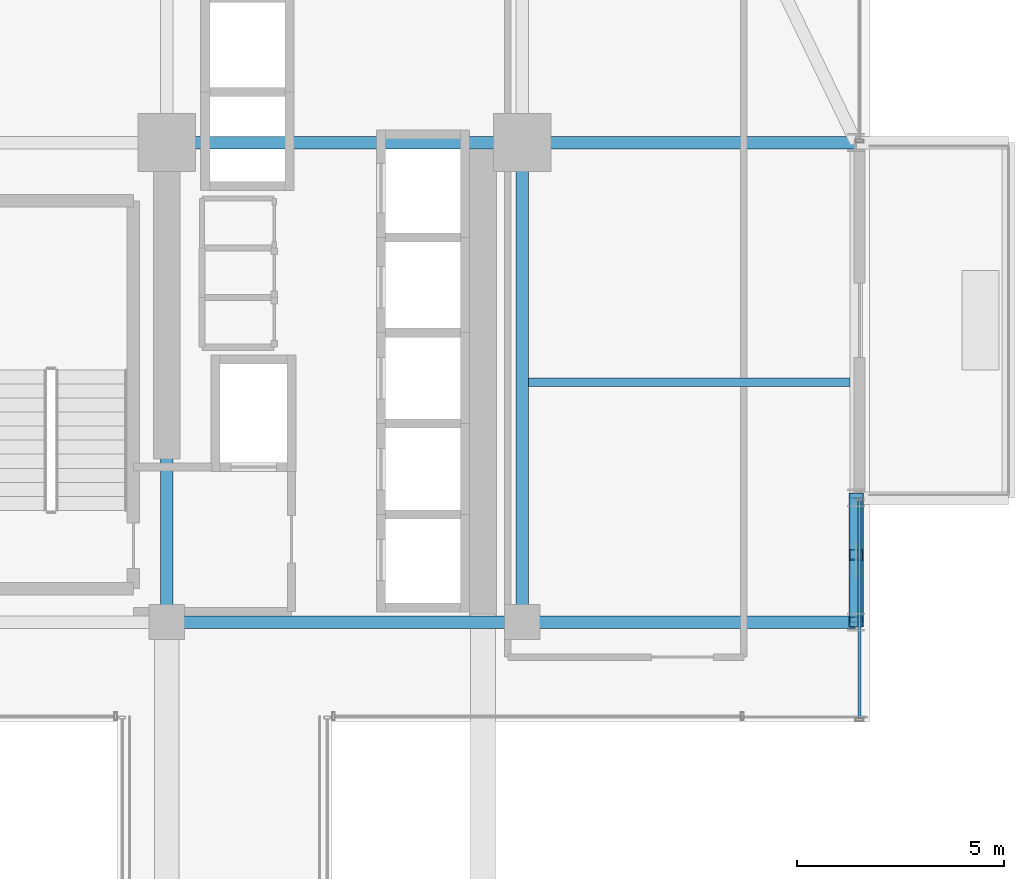
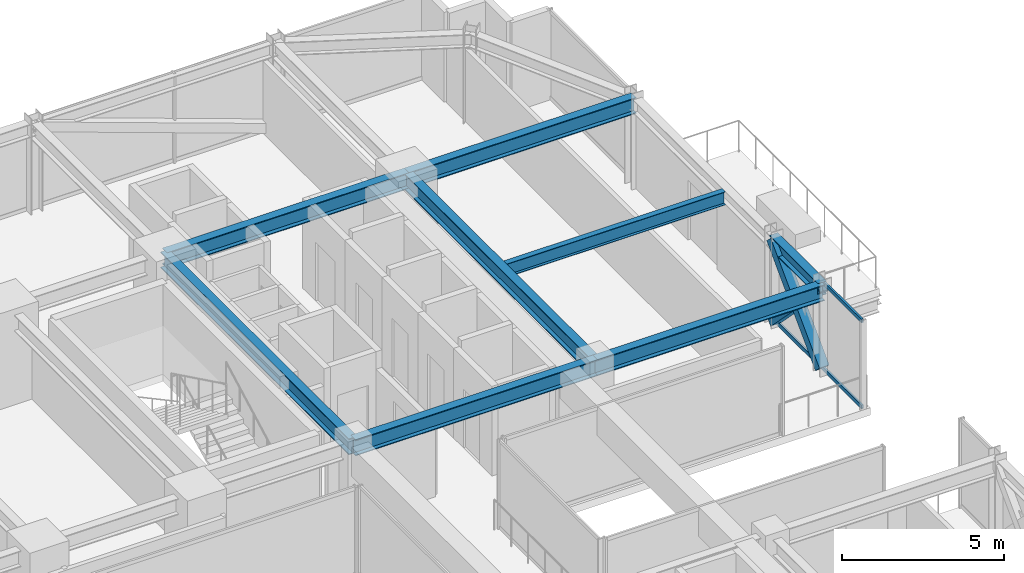
# One storey, part 24 of 35: 8 beams, 5 members, 1 element without a shape of its own.
"""IFC4 building model written with IfcOpenShell, lengths in metres."""

import ifcopenshell
import ifcopenshell.guid

model = None  # the IFC model being written
_history = None  # IfcOwnerHistory: only IFC2X3 demands one
_inside = {}  # id of a spatial element -> (the spatial element, [elements in it])
_under = {}  # id of a project, library or spatial element -> (it, [spatial elements below it])
_declared = {}  # id of a project -> (the project, [libraries it declares])
_typed = {}  # id of a type object -> (the type object, [elements of that type])
_made_of = {}  # id of a material, layer set ... -> (it, [elements and type objects made of it])


def new_model(schema):
    """Start an empty IFC model of exactly this schema.

    Asked for "IFC4X3", IfcOpenShell would pick the latest addendum, in which some entities
    have other attributes; the version numbers below select the first issue.
    IFC2X3 requires an IfcOwnerHistory on every rooted entity: one is made here for all.
    """
    global model, _history
    if schema == "IFC4X3":
        model = ifcopenshell.file(schema_version=(4, 3, 0, 0))
    else:
        model = ifcopenshell.file(schema=schema)
    _inside.clear()
    _under.clear()
    _declared.clear()
    _typed.clear()
    _made_of.clear()
    _history = None
    if model.schema == "IFC2X3":
        org = make("IfcOrganization", Name="unknown")
        user = make(
            "IfcPersonAndOrganization",
            ThePerson=make("IfcPerson", FamilyName="unknown"),
            TheOrganization=org,
        )
        app = make(
            "IfcApplication",
            ApplicationDeveloper=org,
            Version="unknown",
            ApplicationFullName="unknown",
            ApplicationIdentifier="unknown",
        )
        _history = make(
            "IfcOwnerHistory",
            OwningUser=user,
            OwningApplication=app,
            ChangeAction="ADDED",
            CreationDate=0,
        )
    return model


def make(cls, **values):
    """One entity of the class cls with the attributes given. An attribute that is None is left unset."""
    return model.create_entity(
        cls, **{name: value for name, value in values.items() if value is not None}
    )


def rooted(cls, **values):
    """An entity with a GlobalId (a new one), such as an element, a storey or a relation."""
    return make(cls, GlobalId=ifcopenshell.guid.new(), OwnerHistory=_history, **values)


def si_unit(unit_type, name, prefix=None):
    """IfcSIUnit, for example si_unit("LENGTHUNIT", "METRE", prefix="MILLI")."""
    return make("IfcSIUnit", UnitType=unit_type, Prefix=prefix, Name=name)


def assignment(units):
    """IfcUnitAssignment: the units of a project."""
    return None if units is None else make("IfcUnitAssignment", Units=units)


def point(xyz):
    """IfcCartesianPoint."""
    return None if xyz is None else make("IfcCartesianPoint", Coordinates=xyz)


def direction(xyz):
    """IfcDirection."""
    return None if xyz is None else make("IfcDirection", DirectionRatios=xyz)


def frame(location, z_axis=None, x_axis=None):
    """IfcAxis2Placement3D, a coordinate frame: its origin and axes. An axis left out is left unset."""
    return make(
        "IfcAxis2Placement3D",
        Location=point(location),
        Axis=direction(z_axis),
        RefDirection=direction(x_axis),
    )


def frame_2d(location, x_axis=None):
    """IfcAxis2Placement2D, a coordinate frame in the plane: its origin and x axis."""
    return make(
        "IfcAxis2Placement2D", Location=point(location), RefDirection=direction(x_axis)
    )


def origin():
    """The frame at (0, 0, 0) with its axes left unset."""
    return frame((0.0, 0.0, 0.0))


def origin_2d():
    """The frame at (0, 0) in the plane with its x axis left unset."""
    return frame_2d((0.0, 0.0))


def place(relative_to, where):
    """IfcLocalPlacement: puts the frame where relative to a parent placement (None: the world)."""
    return make(
        "IfcLocalPlacement", PlacementRelTo=relative_to, RelativePlacement=where
    )


def context(
    kind, dimensions, precision=None, world=None, true_north=None, identifier=None
):
    """IfcGeometricRepresentationContext, for example the 3D "Model" context."""
    return make(
        "IfcGeometricRepresentationContext",
        ContextIdentifier=identifier,
        ContextType=kind,
        CoordinateSpaceDimension=dimensions,
        Precision=precision,
        WorldCoordinateSystem=world,
        TrueNorth=true_north,
    )


def subcontext(parent, identifier, kind, view, scale=None):
    """IfcGeometricRepresentationSubContext, for example "Body" below "Model"."""
    return make(
        "IfcGeometricRepresentationSubContext",
        ContextIdentifier=identifier,
        ContextType=kind,
        ParentContext=parent,
        TargetScale=scale,
        TargetView=view,
    )


def project(units=None, contexts=None):
    """IfcProject with its units and contexts."""
    return rooted(
        "IfcProject",
        Name="project",
        RepresentationContexts=contexts,
        UnitsInContext=assignment(units),
    )


def spatial(cls, under=None, at=None, **own):
    """A site, building, storey or space (cls), placed at a placement, below another one or the project."""
    s = rooted(cls, ObjectPlacement=at, **own)
    if under is not None:
        _under.setdefault(under.id(), (under, []))[1].append(s)
    return s


def profile(cls, at=None, kind="AREA", **sizes):
    """A parametric profile (cls). Its sizes go by their IFC names, for example OverallWidth=200.0."""
    return make(cls, ProfileType=kind, Position=at, **sizes)


def hollow_rectangle(**sizes):
    """IfcRectangleHollowProfileDef."""
    return profile("IfcRectangleHollowProfileDef", **sizes)


def i_section(**sizes):
    """IfcIShapeProfileDef."""
    return profile("IfcIShapeProfileDef", **sizes)


def extrude(swept, where, along, depth):
    """IfcExtrudedAreaSolid: the profile swept, set in the frame where, extruded along a direction by depth."""
    return make(
        "IfcExtrudedAreaSolid",
        SweptArea=swept,
        Position=where,
        ExtrudedDirection=direction(along),
        Depth=depth,
    )


def shape(context_of_items, identifier, shape_type, items):
    """IfcShapeRepresentation: the items that make up one representation, for example the "Body"."""
    return make(
        "IfcShapeRepresentation",
        ContextOfItems=context_of_items,
        RepresentationIdentifier=identifier,
        RepresentationType=shape_type,
        Items=items,
    )


def source(mapping_origin, context_of_items, identifier, shape_type, items):
    """IfcRepresentationMap: a shape defined once, which mapped items show again and again."""
    return make(
        "IfcRepresentationMap",
        MappingOrigin=mapping_origin,
        MappedRepresentation=shape(context_of_items, identifier, shape_type, items),
    )


def transform(
    local_origin,
    x_axis=None,
    y_axis=None,
    z_axis=None,
    scale=None,
    scale2=None,
    scale3=None,
    uniform=True,
):
    """IfcCartesianTransformationOperator3D, or its non-uniform kind. x_axis, y_axis, z_axis: its Axis1, 2, 3."""
    if uniform:
        return make(
            "IfcCartesianTransformationOperator3D",
            Axis1=direction(x_axis),
            Axis2=direction(y_axis),
            LocalOrigin=point(local_origin),
            Scale=scale,
            Axis3=direction(z_axis),
        )
    return make(
        "IfcCartesianTransformationOperator3DnonUniform",
        Axis1=direction(x_axis),
        Axis2=direction(y_axis),
        LocalOrigin=point(local_origin),
        Scale=scale,
        Axis3=direction(z_axis),
        Scale2=scale2,
        Scale3=scale3,
    )


def mapped(mapping_source, mapping_target):
    """IfcMappedItem: shows the shape of a source again, moved by a transform."""
    return make(
        "IfcMappedItem", MappingSource=mapping_source, MappingTarget=mapping_target
    )


def material(Name=None, Category=None):
    """IfcMaterial."""
    return make("IfcMaterial", Name=Name, Category=Category)


def material_profile(
    of_material, cross_section, Name=None, Category=None, Priority=None
):
    """IfcMaterialProfile: a cross section and its material."""
    return make(
        "IfcMaterialProfile",
        Name=Name,
        Material=of_material,
        Profile=cross_section,
        Priority=Priority,
        Category=Category,
    )


def profile_set(profiles, Name=None, composite=None):
    """IfcMaterialProfileSet."""
    return make(
        "IfcMaterialProfileSet",
        Name=Name,
        MaterialProfiles=profiles,
        CompositeProfile=composite,
    )


def made_of(thing, what):
    """Note that an element or type object is made of a material, layer set ...; save() writes the relation."""
    if what is not None:
        _made_of.setdefault(what.id(), (what, []))[1].append(thing)
    return thing


def type_object(cls, material=None, **own):
    """A type object (cls), such as IfcWallType, which elements share."""
    return made_of(rooted(cls, **own), material)


def element(
    cls,
    number,
    at=None,
    inside=None,
    cuts=None,
    type_object=None,
    material=None,
    context=None,
    identifier="Body",
    shape_type=None,
    held_by="IfcProductDefinitionShape",
    body=None,
    shapes=None,
    **own,
):
    """One element of the class cls, such as IfcWall. Its Tag is "e" and its number.

    at: its placement. inside: the storey or other place that contains it. cuts: it is an
    opening in that element (IfcRelVoidsElement). A single representation is given by context,
    identifier, shape_type and body (its items); several are given by shapes. held_by: the class
    of the entity that holds the representations. save() writes the other relations.
    """
    e = rooted(cls, Tag="e%d" % number, ObjectPlacement=at, **own)
    if body is not None:
        shapes = [shape(context, identifier, shape_type, body)]
    if shapes is not None:
        e.Representation = make(held_by, Representations=shapes)
    if inside is not None:
        _inside.setdefault(inside.id(), (inside, []))[1].append(e)
    if cuts is not None:
        rooted(
            "IfcRelVoidsElement", RelatingBuildingElement=cuts, RelatedOpeningElement=e
        )
    if type_object is not None:
        _typed.setdefault(type_object.id(), (type_object, []))[1].append(e)
    return made_of(e, material)


def aggregate(whole, parts):
    """IfcRelAggregates: a whole, such as a stair, and the parts it consists of."""
    return rooted("IfcRelAggregates", RelatingObject=whole, RelatedObjects=parts)


def save(model, path):
    """Write the relations noted so far, then the file.

    IfcRelAggregates (storeys below a building ...), IfcRelContainedInSpatialStructure (elements
    in a storey), IfcRelDefinesByType, IfcRelAssociatesMaterial and IfcRelDeclares: one each for
    every whole, place, type object, material and project.
    """
    for whole, parts in _under.values():
        aggregate(whole, parts)
    for where, things in _inside.values():
        rooted(
            "IfcRelContainedInSpatialStructure",
            RelatedElements=things,
            RelatingStructure=where,
        )
    for kind, things in _typed.values():
        rooted("IfcRelDefinesByType", RelatedObjects=things, RelatingType=kind)
    for what, things in _made_of.values():
        rooted("IfcRelAssociatesMaterial", RelatedObjects=things, RelatingMaterial=what)
    for by, libraries in _declared.values():
        rooted("IfcRelDeclares", RelatingContext=by, RelatedDefinitions=libraries)
    model.write(path)


model = new_model("IFC4")

# Units and contexts
model_context = context("Model", 3, precision=1e-05, world=origin(), true_north=direction((0.0, 1.0)))
body_context = subcontext(model_context, "Body", "Model", "MODEL_VIEW")
ifc_project = project(units=[si_unit("LENGTHUNIT", "METRE"), si_unit("AREAUNIT", "SQUARE_METRE"), si_unit("VOLUMEUNIT", "CUBIC_METRE"), si_unit("PLANEANGLEUNIT", "RADIAN"), si_unit("MASSUNIT", "GRAM", prefix="KILO")], contexts=[model_context])

# Site, building, storey
site_placement = place(None, origin())
site = spatial("IfcSite", under=ifc_project, at=site_placement, CompositionType="ELEMENT")
building_placement = place(site_placement, origin())
building = spatial("IfcBuilding", under=site, at=building_placement, Name="Nahalor Promenade Grand Hotel", CompositionType="ELEMENT")
storey_placement = place(building_placement, frame((0.0, 0.0, 43.35009765625)))
storey = spatial("IfcBuildingStorey", under=building, at=storey_placement, Name="L09", CompositionType="ELEMENT", Elevation=43.35009765625)

# Beams
ifc_material_1 = material(Name="Steel S355JR", Category="steel")
ifc_material_profile_1 = material_profile(ifc_material_1, i_section(OverallWidth=0.3, OverallDepth=0.6, WebThickness=0.0155, FlangeThickness=0.03, at=origin_2d()), Name="HEB 600")
ifc_profile_set_1 = profile_set([ifc_material_profile_1], Name="Steel S355JR")
beam_type_1 = type_object("IfcBeamType", Name="Beam-Girder-HEB600", PredefinedType="BEAM", material=ifc_profile_set_1)
shared_shape_1 = source(origin(), body_context, "Body", "SweptSolid", [
    extrude(i_section(OverallWidth=0.3, OverallDepth=0.6, WebThickness=0.0155, FlangeThickness=0.03, at=origin_2d()), origin(), (0.0, 0.0, 1.0), 8.60009765625),
])
for number, where, z_axis, x_axis, name in (
    (1, (8.39990234375, 5.39990234375, 3.06982421875), (1.0, 0.0, 0.0), (0.0, 1.0, 0.0), "BM-L09-GX-2-5"),
    (2, (8.39990234375, 17.0, 3.06982421875), (1.0, 0.0, 0.0), (0.0, 1.0, 0.0), "BM-L09-GX-3-5"),
):
    element("IfcBeam", number, at=place(storey_placement, frame(where, z_axis=z_axis, x_axis=x_axis)), inside=storey, type_object=beam_type_1, Name=name, PredefinedType="BEAM", context=body_context, shape_type="MappedRepresentation", body=[
        mapped(shared_shape_1, transform((0.0, 0.0, 0.0), scale=1.0)),
    ])
shared_shape_2 = source(origin(), body_context, "Body", "SweptSolid", [
    extrude(i_section(OverallWidth=0.3, OverallDepth=0.6, WebThickness=0.0155, FlangeThickness=0.03, at=origin_2d()), origin(), (0.0, 0.0, 1.0), 11.60009765625),
])
for number, where, z_axis, x_axis, name in (
    (3, (8.39990234375, 5.39990234375, 3.06982421875), (0.0, 1.0, 0.0), (-1.0, 0.0, 0.0), "BM-L09-GY-4-3"),
    (4, (17.0, 5.39990234375, 3.06982421875), (0.0, 1.0, 0.0), (-1.0, 0.0, 0.0), "BM-L09-GY-5-3"),
):
    element("IfcBeam", number, at=place(storey_placement, frame(where, z_axis=z_axis, x_axis=x_axis)), inside=storey, type_object=beam_type_1, Name=name, PredefinedType="BEAM", context=body_context, shape_type="MappedRepresentation", body=[
        mapped(shared_shape_2, transform((0.0, 0.0, 0.0), scale=1.0)),
    ])
ifc_material_profile_2 = material_profile(ifc_material_1, i_section(OverallWidth=0.3, OverallDepth=0.5, WebThickness=0.0145, FlangeThickness=0.028, at=origin_2d()), Name="HEB 500")
ifc_profile_set_2 = profile_set([ifc_material_profile_2], Name="Steel S355JR")
beam_type_2 = type_object("IfcBeamType", Name="Beam-Spandrel-HEB500", PredefinedType="SPANDREL", material=ifc_profile_set_2)
shared_shape_3 = source(origin(), body_context, "Body", "SweptSolid", [
    extrude(i_section(OverallWidth=0.3, OverallDepth=0.5, WebThickness=0.0145, FlangeThickness=0.028, at=origin_2d()), origin(), (0.0, 0.0, 1.0), 3.0),
])
beam_1_placement = place(storey_placement, frame((25.080078125, 5.39990234375, 3.119873046875), z_axis=(0.0, 1.0, 0.0), x_axis=(-1.0, 0.0, 0.0)))
element("IfcBeam", 5, at=beam_1_placement, inside=storey, type_object=beam_type_2, Name="BM-L09-SP-E-3", PredefinedType="SPANDREL", context=body_context, shape_type="MappedRepresentation", body=[
    mapped(shared_shape_3, transform((0.0, 0.0, 0.0), scale=1.0)),
])
shared_shape_4 = source(origin(), body_context, "Body", "SweptSolid", [
    extrude(i_section(OverallWidth=0.3, OverallDepth=0.6, WebThickness=0.0155, FlangeThickness=0.03, at=origin_2d()), origin(), (0.0, 0.0, 1.0), 8.080078125),
])
for number, where, z_axis, x_axis, name in (
    (6, (17.0, 5.39990234375, 3.06982421875), (1.0, 0.0, 0.0), (0.0, 1.0, 0.0), "BM-L09-GX-2-6"),
    (7, (17.0, 17.0, 3.06982421875), (1.0, 0.0, 0.0), (0.0, 1.0, 0.0), "BM-L09-GX-3-6"),
):
    element("IfcBeam", number, at=place(storey_placement, frame(where, z_axis=z_axis, x_axis=x_axis)), inside=storey, type_object=beam_type_1, Name=name, PredefinedType="BEAM", context=body_context, shape_type="MappedRepresentation", body=[
        mapped(shared_shape_4, transform((0.0, 0.0, 0.0), scale=1.0)),
    ])
ifc_material_profile_3 = material_profile(ifc_material_1, i_section(OverallWidth=0.2, OverallDepth=0.5, WebThickness=0.0102, FlangeThickness=0.016, at=origin_2d()), Name="IPE 500")
ifc_profile_set_3 = profile_set([ifc_material_profile_3], Name="Steel S355JR")
beam_type_3 = type_object("IfcBeamType", Name="Beam-Joist-IPE500", PredefinedType="JOIST", material=ifc_profile_set_3)
shared_shape_5 = source(origin(), body_context, "Body", "SweptSolid", [
    extrude(i_section(OverallWidth=0.2, OverallDepth=0.5, WebThickness=0.0102, FlangeThickness=0.016, at=origin_2d()), origin(), (0.0, 0.0, 1.0), 7.780029296875),
])
beam_2_placement = place(storey_placement, frame((17.14990234375, 11.199951171875, 3.119873046875), z_axis=(1.0, 0.0, 0.0), x_axis=(0.0, 1.0, 0.0)))
element("IfcBeam", 8, at=beam_2_placement, inside=storey, type_object=beam_type_3, Name="BM-L09-JSE-1-2", PredefinedType="JOIST", context=body_context, shape_type="MappedRepresentation", body=[
    mapped(shared_shape_5, transform((0.0, 0.0, 0.0), scale=1.0)),
])

# Members
ifc_material_profile_4 = material_profile(ifc_material_1, hollow_rectangle(XDim=0.35, YDim=0.35, WallThickness=0.02, at=origin_2d()), Name="SHS 350x350x20")
ifc_profile_set_4 = profile_set([ifc_material_profile_4], Name="Steel S355JR")
member_type_1 = type_object("IfcMemberType", Name="Mem-VoidBrace-SHS350", PredefinedType="BRACE", material=ifc_profile_set_4)
shared_shape_6 = source(origin(), body_context, "Body", "SweptSolid", [
    extrude(hollow_rectangle(XDim=0.35, YDim=0.35, WallThickness=0.02, at=origin_2d()), origin(), (0.0, 0.0, 1.0), 4.29248046875),
])
member_1_placement = place(storey_placement, frame((25.080078125, 5.39990234375, 0.14990234375), z_axis=(0.0, 0.698897904453, 0.715221447631), x_axis=(-1.0, 0.0, 0.0)))
element("IfcMember", 9, at=member_1_placement, inside=storey, type_object=member_type_1, Name="EXO-L09-VX1-E1", PredefinedType="BRACE", context=body_context, shape_type="MappedRepresentation", body=[
    mapped(shared_shape_6, transform((0.0, 0.0, 0.0), scale=1.0)),
])
shared_shape_7 = source(origin(), body_context, "Body", "SweptSolid", [
    extrude(hollow_rectangle(XDim=0.35, YDim=0.35, WallThickness=0.02, at=origin_2d()), origin(), (0.0, 0.0, 1.0), 1.959228515625),
])
member_2_placement = place(storey_placement, frame((25.080078125, 6.769287109375, 1.818603515625), z_axis=(0.0, -0.698898183234, 0.715221175212), x_axis=(1.0, 0.0, 0.0)))
element("IfcMember", 10, at=member_2_placement, inside=storey, type_object=member_type_1, Name="EXO-L09-VX2-E1B", PredefinedType="BRACE", context=body_context, shape_type="MappedRepresentation", body=[
    mapped(shared_shape_7, transform((0.0, 0.0, 0.0), scale=1.0)),
])
shared_shape_8 = source(origin(), body_context, "Body", "SweptSolid", [
    extrude(hollow_rectangle(XDim=0.35, YDim=0.35, WallThickness=0.02, at=origin_2d()), origin(), (0.0, 0.0, 1.0), 1.958984375),
])
member_3_placement = place(storey_placement, frame((25.080078125, 8.39990234375, 0.14990234375), z_axis=(0.0, -0.698896728293, 0.715222596946), x_axis=(1.0, 0.0, 0.0)))
element("IfcMember", 11, at=member_3_placement, inside=storey, type_object=member_type_1, Name="EXO-L09-VX2-E1A", PredefinedType="BRACE", context=body_context, shape_type="MappedRepresentation", body=[
    mapped(shared_shape_8, transform((0.0, 0.0, 0.0), scale=1.0)),
])

# Curtain wall, members
ifc_material_2 = material(Name="Anodised Bronze Aluminium EN AW-6063 T6", Category="aluminium")
curtain_wall_type = type_object("IfcCurtainWallType", Name="CW3 Elliptical-Void Collar Unitised Curtain Wall", PredefinedType="USERDEFINED", material=ifc_material_2)
curtain_wall_placement = place(storey_placement, origin())
curtain_wall = element("IfcCurtainWall", 12, at=curtain_wall_placement, inside=storey, type_object=curtain_wall_type, Name="L09 Curtain Wall CW-L09-E-2", ObjectType="UNITISED_CURTAIN_WALL", PredefinedType="USERDEFINED")
ifc_material_profile_5 = material_profile(ifc_material_2, hollow_rectangle(XDim=0.07, YDim=0.14, WallThickness=0.004, at=origin_2d()), Name="CWT 70x140x4")
ifc_profile_set_5 = profile_set([ifc_material_profile_5], Name="Anodised Bronze Aluminium EN AW-6063 T6")
member_type_2 = type_object("IfcMemberType", Name="CWT3 Void Collar Transom 70x140", PredefinedType="USERDEFINED", material=ifc_profile_set_5)
shared_shape_9 = source(origin(), body_context, "Body", "SweptSolid", [
    extrude(hollow_rectangle(XDim=0.07, YDim=0.14, WallThickness=0.004, at=origin_2d()), origin(), (0.0, 0.0, 1.0), 5.260986328125),
])
member_4_placement = place(storey_placement, frame((25.159912109375, 3.069091796875, 0.06982421875), z_axis=(0.0, 1.0, 0.0), x_axis=(-1.0, 0.0, 0.0)))
member_4 = element("IfcMember", 13, at=member_4_placement, type_object=member_type_2, Name="CW-L09-E-2 Transom 0-0", ObjectType="TRANSOM", PredefinedType="USERDEFINED", context=body_context, shape_type="MappedRepresentation", body=[
    mapped(shared_shape_9, transform((0.0, 0.0, 0.0), scale=1.0)),
])
member_5_placement = place(storey_placement, frame((25.159912109375, 3.069091796875, 3.2998046875), z_axis=(0.0, 1.0, 0.0), x_axis=(-1.0, 0.0, 0.0)))
member_5 = element("IfcMember", 14, at=member_5_placement, type_object=member_type_2, Name="CW-L09-E-2 Transom 0-1", ObjectType="TRANSOM", PredefinedType="USERDEFINED", context=body_context, shape_type="MappedRepresentation", body=[
    mapped(shared_shape_9, transform((0.0, 0.0, 0.0), scale=1.0)),
])
aggregate(curtain_wall, [member_4, member_5])

save(model, "model.ifc")
